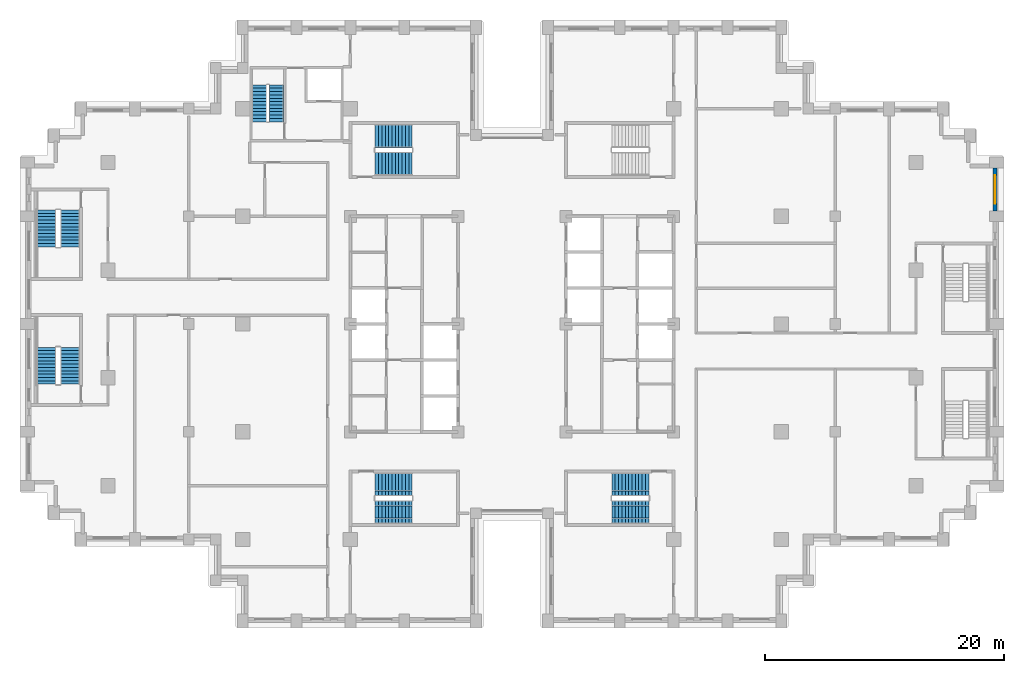
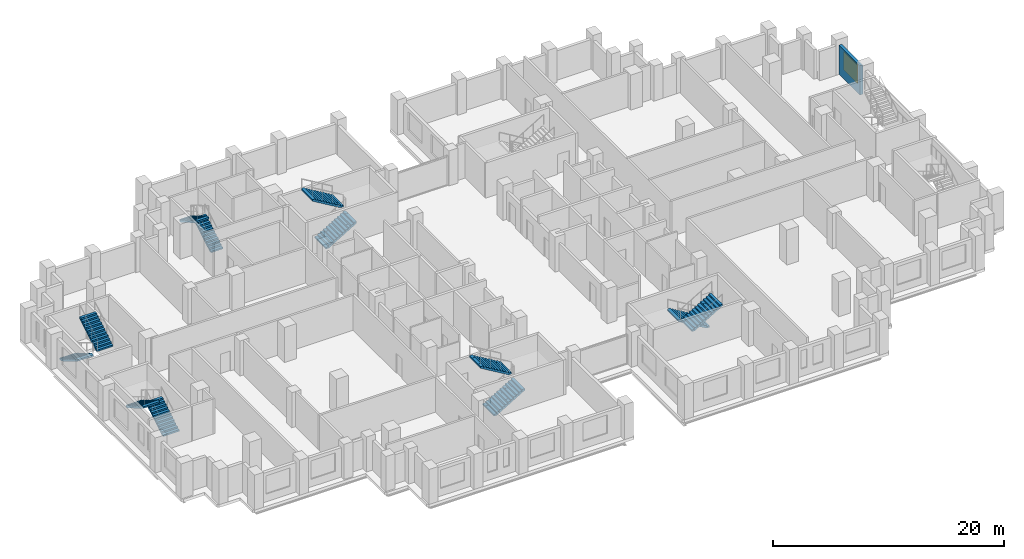
# One storey, part 12 of 15: 12 stair flights, 1 wall, 1 window, 1 opening, 6 elements without a shape of their own.
"""IFC4 building model written with IfcOpenShell, lengths in metres."""

from ifc_helpers import new_model, si_unit, direction, frame, frame_2d, origin, place, context, subcontext, project, spatial, polyline, rectangle, outline, extrude, material, layer, layer_set, type_object, element, fill, aggregate, save


model = new_model("IFC4")

# Units and contexts
model_context = context("Model", 3, precision=1e-05, world=origin(), true_north=direction((0.0, 1.0)))
body_context = subcontext(model_context, "Body", "Model", "MODEL_VIEW")
ifc_project = project(units=[si_unit("LENGTHUNIT", "METRE"), si_unit("AREAUNIT", "SQUARE_METRE"), si_unit("VOLUMEUNIT", "CUBIC_METRE"), si_unit("PLANEANGLEUNIT", "RADIAN"), si_unit("MASSUNIT", "GRAM", prefix="KILO")], contexts=[model_context])

# Site, building, storey
site_placement = place(None, origin())
site = spatial("IfcSite", under=ifc_project, at=site_placement, CompositionType="ELEMENT")
building_placement = place(site_placement, origin())
building = spatial("IfcBuilding", under=site, at=building_placement, Name="Corbelhall Arena Tower", CompositionType="ELEMENT")
storey_placement = place(building_placement, frame((0.0, 0.0, 88.0)))
storey = spatial("IfcBuildingStorey", under=building, at=storey_placement, Name="L14", CompositionType="ELEMENT", Elevation=88.0)

# Wall, opening, window
ifc_material_1 = material(Name="Precast concrete C40/50 with granite facing", Category="masonry")
ifc_layer = layer(ifc_material_1, 0.300048828125)
ifc_layer_set = layer_set([ifc_layer], Name="EV-IW1 Infill panel 300")
wall_type = type_object("IfcWallType", Name="EV-IW1 Infill panel 300", PredefinedType="SOLIDWALL", material=ifc_layer_set)
wall_placement = place(storey_placement, frame((40.35009765625, 9.449951171875, 0.0), z_axis=(0.0, 0.0, 1.0), x_axis=(0.0, 1.0, 0.0)))
wall = element("IfcWall", 1, at=wall_placement, inside=storey, type_object=wall_type, Name="Infill panel IW1", PredefinedType="SOLIDWALL", context=body_context, shape_type="SweptSolid", body=[
    extrude(rectangle(XDim=3.60009765625, YDim=0.300048828125, at=frame_2d((1.800048828125, 0.0))), origin(), (0.0, 0.0, 1.0), 3.10009765625),
])
opening_placement = place(wall_placement, frame((0.60009765625, 0.0, 0.800048828125)))
opening = element("IfcOpeningElement", 2, at=opening_placement, cuts=wall, Name="Opening WN1", PredefinedType="OPENING", context=body_context, shape_type="SweptSolid", body=[
    extrude(rectangle(XDim=2.39990234375, YDim=1.949951171875, at=frame_2d((1.199951171875, 0.97509765625))), frame((0.0, 0.14990234375, 0.0), z_axis=(0.0, -1.0, 0.0), x_axis=(1.0, 0.0, 0.0)), (0.0, 0.0, 1.0), 0.300048828125),
])
ifc_material_2 = material(Name="Aluminium black anodised", Category="aluminium")
window_type = type_object("IfcWindowType", Name="EV-WN1 Office window", PartitioningType="SINGLE_PANEL", PredefinedType="WINDOW", material=ifc_material_2)
window_placement = place(opening_placement, origin())
window = element("IfcWindow", 3, at=window_placement, inside=storey, type_object=window_type, Name="Window WN1", OverallHeight=1.949951171875, OverallWidth=2.39990234375, PartitioningType="SINGLE_PANEL", PredefinedType="WINDOW", context=body_context, shape_type="SweptSolid", body=[
    extrude(rectangle(XDim=2.39990234375, YDim=1.949951171875, at=frame_2d((1.199951171875, 0.97509765625))), frame((0.0, 0.030029296875, 0.0), z_axis=(0.0, -1.0, 0.0), x_axis=(1.0, 0.0, 0.0)), (0.0, 0.0, 1.0), 0.06005859375),
])
fill(opening, window)

# Stair, stair flights
ifc_material_3 = material(Name="Concrete C40/50", Category="concrete")
stair_type = type_object("IfcStairType", Name="IN-ST-TOWER", PredefinedType="HALF_TURN_STAIR", material=ifc_material_3)
stair_1_placement = place(storey_placement, origin())
stair_1 = element("IfcStair", 4, at=stair_1_placement, inside=storey, type_object=stair_type, Name="L14 Exit stair ST1", PredefinedType="HALF_TURN_STAIR")
stair_flight_type = type_object("IfcStairFlightType", Name="IN-SFL-RC", PredefinedType="STRAIGHT", material=ifc_material_3)
stair_flight_1_placement = place(storey_placement, frame((-11.425048828125, 13.39990234375, 0.0), z_axis=(0.0, 0.0, 1.0), x_axis=(1.0, 0.0, 0.0)))
stair_flight_1 = element("IfcStairFlight", 5, at=stair_flight_1_placement, type_object=stair_flight_type, Name="ST1 flight 1", NumberOfRisers=12, NumberOfTreads=11, PredefinedType="STRAIGHT", RiserHeight=0.166666667, TreadLength=0.28, context=body_context, shape_type="SweptSolid", body=[
    extrude(outline(polyline([(0.0, 0.0), (0.0, 0.166748046875), (0.280029296875, 0.166748046875), (0.280029296875, 0.333251953125), (0.56005859375, 0.333251953125), (0.56005859375, 0.5), (0.840087890625, 0.5), (0.840087890625, 0.666748046875), (1.1201171875, 0.666748046875), (1.1201171875, 0.833251953125), (1.39990234375, 0.833251953125), (1.39990234375, 1.0), (1.679931640625, 1.0), (1.679931640625, 1.166748046875), (1.9599609375, 1.166748046875), (1.9599609375, 1.333251953125), (2.239990234375, 1.333251953125), (2.239990234375, 1.5), (2.52001953125, 1.5), (2.52001953125, 1.666748046875), (2.800048828125, 1.666748046875), (2.800048828125, 1.833251953125), (3.080078125, 1.833251953125), (3.080078125, 2.0), (3.080078125, 1.658935546875), (0.29296875, 0.0), (0.0, 0.0)])), frame((0.0, 0.97509765625, 0.0), z_axis=(0.0, -1.0, 0.0), x_axis=(1.0, 0.0, 0.0)), (0.0, 0.0, 1.0), 0.449951171875),
    extrude(outline(polyline([(0.0, 0.0), (0.0, 0.166748046875), (0.280029296875, 0.166748046875), (0.280029296875, 0.333251953125), (0.56005859375, 0.333251953125), (0.56005859375, 0.5), (0.840087890625, 0.5), (0.840087890625, 0.666748046875), (1.1201171875, 0.666748046875), (1.1201171875, 0.833251953125), (1.39990234375, 0.833251953125), (1.39990234375, 1.0), (1.679931640625, 1.0), (1.679931640625, 1.166748046875), (1.9599609375, 1.166748046875), (1.9599609375, 1.333251953125), (2.239990234375, 1.333251953125), (2.239990234375, 1.5), (2.52001953125, 1.5), (2.52001953125, 1.666748046875), (2.800048828125, 1.666748046875), (2.800048828125, 1.833251953125), (3.080078125, 1.833251953125), (3.080078125, 2.0), (3.080078125, 1.658935546875), (0.29296875, 0.0), (0.0, 0.0)])), frame((0.0, 0.52099609375, 0.0), z_axis=(0.0, -1.0, 0.0), x_axis=(1.0, 0.0, 0.0)), (0.0, 0.0, 1.0), 1.0419921875),
    extrude(outline(polyline([(0.0, 0.0), (0.0, 0.166748046875), (0.280029296875, 0.166748046875), (0.280029296875, 0.333251953125), (0.56005859375, 0.333251953125), (0.56005859375, 0.5), (0.840087890625, 0.5), (0.840087890625, 0.666748046875), (1.1201171875, 0.666748046875), (1.1201171875, 0.833251953125), (1.39990234375, 0.833251953125), (1.39990234375, 1.0), (1.679931640625, 1.0), (1.679931640625, 1.166748046875), (1.9599609375, 1.166748046875), (1.9599609375, 1.333251953125), (2.239990234375, 1.333251953125), (2.239990234375, 1.5), (2.52001953125, 1.5), (2.52001953125, 1.666748046875), (2.800048828125, 1.666748046875), (2.800048828125, 1.833251953125), (3.080078125, 1.833251953125), (3.080078125, 2.0), (3.080078125, 1.658935546875), (0.29296875, 0.0), (0.0, 0.0)])), frame((0.0, -0.52490234375, 0.0), z_axis=(0.0, -1.0, 0.0), x_axis=(1.0, 0.0, 0.0)), (0.0, 0.0, 1.0), 0.449951171875),
])
stair_flight_2_placement = place(storey_placement, frame((-8.344970703125, 15.699951171875, 2.0), z_axis=(0.0, 0.0, 1.0), x_axis=(-1.0, 0.0, 0.0)))
stair_flight_2 = element("IfcStairFlight", 6, at=stair_flight_2_placement, type_object=stair_flight_type, Name="ST1 flight 2", NumberOfRisers=12, NumberOfTreads=11, PredefinedType="STRAIGHT", RiserHeight=0.166666667, TreadLength=0.28, context=body_context, shape_type="SweptSolid", body=[
    extrude(outline(polyline([(0.0, 0.0), (0.0, 0.166748046875), (0.280029296875, 0.166748046875), (0.280029296875, 0.333251953125), (0.56005859375, 0.333251953125), (0.56005859375, 0.5), (0.840087890625, 0.5), (0.840087890625, 0.666748046875), (1.1201171875, 0.666748046875), (1.1201171875, 0.833251953125), (1.39990234375, 0.833251953125), (1.39990234375, 1.0), (1.679931640625, 1.0), (1.679931640625, 1.166748046875), (1.9599609375, 1.166748046875), (1.9599609375, 1.333251953125), (2.239990234375, 1.333251953125), (2.239990234375, 1.5), (2.52001953125, 1.5), (2.52001953125, 1.666748046875), (2.800048828125, 1.666748046875), (2.800048828125, 1.833251953125), (3.080078125, 1.833251953125), (3.080078125, 2.0), (3.080078125, 1.658935546875), (0.29296875, 0.0), (0.0, 0.0)])), frame((0.0, 0.97509765625, 0.0), z_axis=(0.0, -1.0, 0.0), x_axis=(1.0, 0.0, 0.0)), (0.0, 0.0, 1.0), 0.449951171875),
    extrude(outline(polyline([(0.0, 0.0), (0.0, 0.166748046875), (0.280029296875, 0.166748046875), (0.280029296875, 0.333251953125), (0.56005859375, 0.333251953125), (0.56005859375, 0.5), (0.840087890625, 0.5), (0.840087890625, 0.666748046875), (1.1201171875, 0.666748046875), (1.1201171875, 0.833251953125), (1.39990234375, 0.833251953125), (1.39990234375, 1.0), (1.679931640625, 1.0), (1.679931640625, 1.166748046875), (1.9599609375, 1.166748046875), (1.9599609375, 1.333251953125), (2.239990234375, 1.333251953125), (2.239990234375, 1.5), (2.52001953125, 1.5), (2.52001953125, 1.666748046875), (2.800048828125, 1.666748046875), (2.800048828125, 1.833251953125), (3.080078125, 1.833251953125), (3.080078125, 2.0), (3.080078125, 1.658935546875), (0.29296875, 0.0), (0.0, 0.0)])), frame((0.0, 0.52099609375, 0.0), z_axis=(0.0, -1.0, 0.0), x_axis=(1.0, 0.0, 0.0)), (0.0, 0.0, 1.0), 1.0419921875),
    extrude(outline(polyline([(0.0, 0.0), (0.0, 0.166748046875), (0.280029296875, 0.166748046875), (0.280029296875, 0.333251953125), (0.56005859375, 0.333251953125), (0.56005859375, 0.5), (0.840087890625, 0.5), (0.840087890625, 0.666748046875), (1.1201171875, 0.666748046875), (1.1201171875, 0.833251953125), (1.39990234375, 0.833251953125), (1.39990234375, 1.0), (1.679931640625, 1.0), (1.679931640625, 1.166748046875), (1.9599609375, 1.166748046875), (1.9599609375, 1.333251953125), (2.239990234375, 1.333251953125), (2.239990234375, 1.5), (2.52001953125, 1.5), (2.52001953125, 1.666748046875), (2.800048828125, 1.666748046875), (2.800048828125, 1.833251953125), (3.080078125, 1.833251953125), (3.080078125, 2.0), (3.080078125, 1.658935546875), (0.29296875, 0.0), (0.0, 0.0)])), frame((0.0, -0.52490234375, 0.0), z_axis=(0.0, -1.0, 0.0), x_axis=(1.0, 0.0, 0.0)), (0.0, 0.0, 1.0), 0.449951171875),
])
aggregate(stair_1, [stair_flight_1, stair_flight_2])

stair_2_placement = place(storey_placement, origin())
stair_2 = element("IfcStair", 7, at=stair_2_placement, inside=storey, type_object=stair_type, Name="L14 Exit stair ST2", PredefinedType="HALF_TURN_STAIR")
stair_flight_3_placement = place(storey_placement, frame((-11.425048828125, -15.699951171875, 0.0), z_axis=(0.0, 0.0, 1.0), x_axis=(1.0, 0.0, 0.0)))
stair_flight_3 = element("IfcStairFlight", 8, at=stair_flight_3_placement, type_object=stair_flight_type, Name="ST2 flight 1", NumberOfRisers=12, NumberOfTreads=11, PredefinedType="STRAIGHT", RiserHeight=0.166666667, TreadLength=0.28, context=body_context, shape_type="SweptSolid", body=[
    extrude(outline(polyline([(0.0, 0.0), (0.0, 0.166748046875), (0.280029296875, 0.166748046875), (0.280029296875, 0.333251953125), (0.56005859375, 0.333251953125), (0.56005859375, 0.5), (0.840087890625, 0.5), (0.840087890625, 0.666748046875), (1.1201171875, 0.666748046875), (1.1201171875, 0.833251953125), (1.39990234375, 0.833251953125), (1.39990234375, 1.0), (1.679931640625, 1.0), (1.679931640625, 1.166748046875), (1.9599609375, 1.166748046875), (1.9599609375, 1.333251953125), (2.239990234375, 1.333251953125), (2.239990234375, 1.5), (2.52001953125, 1.5), (2.52001953125, 1.666748046875), (2.800048828125, 1.666748046875), (2.800048828125, 1.833251953125), (3.080078125, 1.833251953125), (3.080078125, 2.0), (3.080078125, 1.658935546875), (0.29296875, 0.0), (0.0, 0.0)])), frame((0.0, 0.97509765625, 0.0), z_axis=(0.0, -1.0, 0.0), x_axis=(1.0, 0.0, 0.0)), (0.0, 0.0, 1.0), 0.449951171875),
    extrude(outline(polyline([(0.0, 0.0), (0.0, 0.166748046875), (0.280029296875, 0.166748046875), (0.280029296875, 0.333251953125), (0.56005859375, 0.333251953125), (0.56005859375, 0.5), (0.840087890625, 0.5), (0.840087890625, 0.666748046875), (1.1201171875, 0.666748046875), (1.1201171875, 0.833251953125), (1.39990234375, 0.833251953125), (1.39990234375, 1.0), (1.679931640625, 1.0), (1.679931640625, 1.166748046875), (1.9599609375, 1.166748046875), (1.9599609375, 1.333251953125), (2.239990234375, 1.333251953125), (2.239990234375, 1.5), (2.52001953125, 1.5), (2.52001953125, 1.666748046875), (2.800048828125, 1.666748046875), (2.800048828125, 1.833251953125), (3.080078125, 1.833251953125), (3.080078125, 2.0), (3.080078125, 1.658935546875), (0.29296875, 0.0), (0.0, 0.0)])), frame((0.0, 0.52099609375, 0.0), z_axis=(0.0, -1.0, 0.0), x_axis=(1.0, 0.0, 0.0)), (0.0, 0.0, 1.0), 1.0419921875),
    extrude(outline(polyline([(0.0, 0.0), (0.0, 0.166748046875), (0.280029296875, 0.166748046875), (0.280029296875, 0.333251953125), (0.56005859375, 0.333251953125), (0.56005859375, 0.5), (0.840087890625, 0.5), (0.840087890625, 0.666748046875), (1.1201171875, 0.666748046875), (1.1201171875, 0.833251953125), (1.39990234375, 0.833251953125), (1.39990234375, 1.0), (1.679931640625, 1.0), (1.679931640625, 1.166748046875), (1.9599609375, 1.166748046875), (1.9599609375, 1.333251953125), (2.239990234375, 1.333251953125), (2.239990234375, 1.5), (2.52001953125, 1.5), (2.52001953125, 1.666748046875), (2.800048828125, 1.666748046875), (2.800048828125, 1.833251953125), (3.080078125, 1.833251953125), (3.080078125, 2.0), (3.080078125, 1.658935546875), (0.29296875, 0.0), (0.0, 0.0)])), frame((0.0, -0.52490234375, 0.0), z_axis=(0.0, -1.0, 0.0), x_axis=(1.0, 0.0, 0.0)), (0.0, 0.0, 1.0), 0.449951171875),
])
stair_flight_4_placement = place(storey_placement, frame((-8.344970703125, -13.39990234375, 2.0), z_axis=(0.0, 0.0, 1.0), x_axis=(-1.0, 0.0, 0.0)))
stair_flight_4 = element("IfcStairFlight", 9, at=stair_flight_4_placement, type_object=stair_flight_type, Name="ST2 flight 2", NumberOfRisers=12, NumberOfTreads=11, PredefinedType="STRAIGHT", RiserHeight=0.166666667, TreadLength=0.28, context=body_context, shape_type="SweptSolid", body=[
    extrude(outline(polyline([(0.0, 0.0), (0.0, 0.166748046875), (0.280029296875, 0.166748046875), (0.280029296875, 0.333251953125), (0.56005859375, 0.333251953125), (0.56005859375, 0.5), (0.840087890625, 0.5), (0.840087890625, 0.666748046875), (1.1201171875, 0.666748046875), (1.1201171875, 0.833251953125), (1.39990234375, 0.833251953125), (1.39990234375, 1.0), (1.679931640625, 1.0), (1.679931640625, 1.166748046875), (1.9599609375, 1.166748046875), (1.9599609375, 1.333251953125), (2.239990234375, 1.333251953125), (2.239990234375, 1.5), (2.52001953125, 1.5), (2.52001953125, 1.666748046875), (2.800048828125, 1.666748046875), (2.800048828125, 1.833251953125), (3.080078125, 1.833251953125), (3.080078125, 2.0), (3.080078125, 1.658935546875), (0.29296875, 0.0), (0.0, 0.0)])), frame((0.0, 0.97509765625, 0.0), z_axis=(0.0, -1.0, 0.0), x_axis=(1.0, 0.0, 0.0)), (0.0, 0.0, 1.0), 0.449951171875),
    extrude(outline(polyline([(0.0, 0.0), (0.0, 0.166748046875), (0.280029296875, 0.166748046875), (0.280029296875, 0.333251953125), (0.56005859375, 0.333251953125), (0.56005859375, 0.5), (0.840087890625, 0.5), (0.840087890625, 0.666748046875), (1.1201171875, 0.666748046875), (1.1201171875, 0.833251953125), (1.39990234375, 0.833251953125), (1.39990234375, 1.0), (1.679931640625, 1.0), (1.679931640625, 1.166748046875), (1.9599609375, 1.166748046875), (1.9599609375, 1.333251953125), (2.239990234375, 1.333251953125), (2.239990234375, 1.5), (2.52001953125, 1.5), (2.52001953125, 1.666748046875), (2.800048828125, 1.666748046875), (2.800048828125, 1.833251953125), (3.080078125, 1.833251953125), (3.080078125, 2.0), (3.080078125, 1.658935546875), (0.29296875, 0.0), (0.0, 0.0)])), frame((0.0, 0.52099609375, 0.0), z_axis=(0.0, -1.0, 0.0), x_axis=(1.0, 0.0, 0.0)), (0.0, 0.0, 1.0), 1.0419921875),
    extrude(outline(polyline([(0.0, 0.0), (0.0, 0.166748046875), (0.280029296875, 0.166748046875), (0.280029296875, 0.333251953125), (0.56005859375, 0.333251953125), (0.56005859375, 0.5), (0.840087890625, 0.5), (0.840087890625, 0.666748046875), (1.1201171875, 0.666748046875), (1.1201171875, 0.833251953125), (1.39990234375, 0.833251953125), (1.39990234375, 1.0), (1.679931640625, 1.0), (1.679931640625, 1.166748046875), (1.9599609375, 1.166748046875), (1.9599609375, 1.333251953125), (2.239990234375, 1.333251953125), (2.239990234375, 1.5), (2.52001953125, 1.5), (2.52001953125, 1.666748046875), (2.800048828125, 1.666748046875), (2.800048828125, 1.833251953125), (3.080078125, 1.833251953125), (3.080078125, 2.0), (3.080078125, 1.658935546875), (0.29296875, 0.0), (0.0, 0.0)])), frame((0.0, -0.52490234375, 0.0), z_axis=(0.0, -1.0, 0.0), x_axis=(1.0, 0.0, 0.0)), (0.0, 0.0, 1.0), 0.449951171875),
])
aggregate(stair_2, [stair_flight_3, stair_flight_4])

stair_3_placement = place(storey_placement, origin())
stair_3 = element("IfcStair", 10, at=stair_3_placement, inside=storey, type_object=stair_type, Name="L14 Exit stair ST4", PredefinedType="HALF_TURN_STAIR")
stair_flight_5_placement = place(storey_placement, frame((11.425048828125, -13.39990234375, 0.0), z_axis=(0.0, 0.0, 1.0), x_axis=(-1.0, 0.0, 0.0)))
stair_flight_5 = element("IfcStairFlight", 11, at=stair_flight_5_placement, type_object=stair_flight_type, Name="ST4 flight 1", NumberOfRisers=12, NumberOfTreads=11, PredefinedType="STRAIGHT", RiserHeight=0.166666667, TreadLength=0.28, context=body_context, shape_type="SweptSolid", body=[
    extrude(outline(polyline([(0.0, 0.0), (0.0, 0.166748046875), (0.280029296875, 0.166748046875), (0.280029296875, 0.333251953125), (0.56005859375, 0.333251953125), (0.56005859375, 0.5), (0.840087890625, 0.5), (0.840087890625, 0.666748046875), (1.1201171875, 0.666748046875), (1.1201171875, 0.833251953125), (1.39990234375, 0.833251953125), (1.39990234375, 1.0), (1.679931640625, 1.0), (1.679931640625, 1.166748046875), (1.9599609375, 1.166748046875), (1.9599609375, 1.333251953125), (2.239990234375, 1.333251953125), (2.239990234375, 1.5), (2.52001953125, 1.5), (2.52001953125, 1.666748046875), (2.800048828125, 1.666748046875), (2.800048828125, 1.833251953125), (3.080078125, 1.833251953125), (3.080078125, 2.0), (3.080078125, 1.658935546875), (0.29296875, 0.0), (0.0, 0.0)])), frame((0.0, 0.97509765625, 0.0), z_axis=(0.0, -1.0, 0.0), x_axis=(1.0, 0.0, 0.0)), (0.0, 0.0, 1.0), 0.449951171875),
    extrude(outline(polyline([(0.0, 0.0), (0.0, 0.166748046875), (0.280029296875, 0.166748046875), (0.280029296875, 0.333251953125), (0.56005859375, 0.333251953125), (0.56005859375, 0.5), (0.840087890625, 0.5), (0.840087890625, 0.666748046875), (1.1201171875, 0.666748046875), (1.1201171875, 0.833251953125), (1.39990234375, 0.833251953125), (1.39990234375, 1.0), (1.679931640625, 1.0), (1.679931640625, 1.166748046875), (1.9599609375, 1.166748046875), (1.9599609375, 1.333251953125), (2.239990234375, 1.333251953125), (2.239990234375, 1.5), (2.52001953125, 1.5), (2.52001953125, 1.666748046875), (2.800048828125, 1.666748046875), (2.800048828125, 1.833251953125), (3.080078125, 1.833251953125), (3.080078125, 2.0), (3.080078125, 1.658935546875), (0.29296875, 0.0), (0.0, 0.0)])), frame((0.0, 0.52099609375, 0.0), z_axis=(0.0, -1.0, 0.0), x_axis=(1.0, 0.0, 0.0)), (0.0, 0.0, 1.0), 1.0419921875),
    extrude(outline(polyline([(0.0, 0.0), (0.0, 0.166748046875), (0.280029296875, 0.166748046875), (0.280029296875, 0.333251953125), (0.56005859375, 0.333251953125), (0.56005859375, 0.5), (0.840087890625, 0.5), (0.840087890625, 0.666748046875), (1.1201171875, 0.666748046875), (1.1201171875, 0.833251953125), (1.39990234375, 0.833251953125), (1.39990234375, 1.0), (1.679931640625, 1.0), (1.679931640625, 1.166748046875), (1.9599609375, 1.166748046875), (1.9599609375, 1.333251953125), (2.239990234375, 1.333251953125), (2.239990234375, 1.5), (2.52001953125, 1.5), (2.52001953125, 1.666748046875), (2.800048828125, 1.666748046875), (2.800048828125, 1.833251953125), (3.080078125, 1.833251953125), (3.080078125, 2.0), (3.080078125, 1.658935546875), (0.29296875, 0.0), (0.0, 0.0)])), frame((0.0, -0.52490234375, 0.0), z_axis=(0.0, -1.0, 0.0), x_axis=(1.0, 0.0, 0.0)), (0.0, 0.0, 1.0), 0.449951171875),
])
stair_flight_6_placement = place(storey_placement, frame((8.344970703125, -15.699951171875, 2.0), z_axis=(0.0, 0.0, 1.0), x_axis=(1.0, 0.0, 0.0)))
stair_flight_6 = element("IfcStairFlight", 12, at=stair_flight_6_placement, type_object=stair_flight_type, Name="ST4 flight 2", NumberOfRisers=12, NumberOfTreads=11, PredefinedType="STRAIGHT", RiserHeight=0.166666667, TreadLength=0.28, context=body_context, shape_type="SweptSolid", body=[
    extrude(outline(polyline([(0.0, 0.0), (0.0, 0.166748046875), (0.280029296875, 0.166748046875), (0.280029296875, 0.333251953125), (0.56005859375, 0.333251953125), (0.56005859375, 0.5), (0.840087890625, 0.5), (0.840087890625, 0.666748046875), (1.1201171875, 0.666748046875), (1.1201171875, 0.833251953125), (1.39990234375, 0.833251953125), (1.39990234375, 1.0), (1.679931640625, 1.0), (1.679931640625, 1.166748046875), (1.9599609375, 1.166748046875), (1.9599609375, 1.333251953125), (2.239990234375, 1.333251953125), (2.239990234375, 1.5), (2.52001953125, 1.5), (2.52001953125, 1.666748046875), (2.800048828125, 1.666748046875), (2.800048828125, 1.833251953125), (3.080078125, 1.833251953125), (3.080078125, 2.0), (3.080078125, 1.658935546875), (0.29296875, 0.0), (0.0, 0.0)])), frame((0.0, 0.97509765625, 0.0), z_axis=(0.0, -1.0, 0.0), x_axis=(1.0, 0.0, 0.0)), (0.0, 0.0, 1.0), 0.449951171875),
    extrude(outline(polyline([(0.0, 0.0), (0.0, 0.166748046875), (0.280029296875, 0.166748046875), (0.280029296875, 0.333251953125), (0.56005859375, 0.333251953125), (0.56005859375, 0.5), (0.840087890625, 0.5), (0.840087890625, 0.666748046875), (1.1201171875, 0.666748046875), (1.1201171875, 0.833251953125), (1.39990234375, 0.833251953125), (1.39990234375, 1.0), (1.679931640625, 1.0), (1.679931640625, 1.166748046875), (1.9599609375, 1.166748046875), (1.9599609375, 1.333251953125), (2.239990234375, 1.333251953125), (2.239990234375, 1.5), (2.52001953125, 1.5), (2.52001953125, 1.666748046875), (2.800048828125, 1.666748046875), (2.800048828125, 1.833251953125), (3.080078125, 1.833251953125), (3.080078125, 2.0), (3.080078125, 1.658935546875), (0.29296875, 0.0), (0.0, 0.0)])), frame((0.0, 0.52099609375, 0.0), z_axis=(0.0, -1.0, 0.0), x_axis=(1.0, 0.0, 0.0)), (0.0, 0.0, 1.0), 1.0419921875),
    extrude(outline(polyline([(0.0, 0.0), (0.0, 0.166748046875), (0.280029296875, 0.166748046875), (0.280029296875, 0.333251953125), (0.56005859375, 0.333251953125), (0.56005859375, 0.5), (0.840087890625, 0.5), (0.840087890625, 0.666748046875), (1.1201171875, 0.666748046875), (1.1201171875, 0.833251953125), (1.39990234375, 0.833251953125), (1.39990234375, 1.0), (1.679931640625, 1.0), (1.679931640625, 1.166748046875), (1.9599609375, 1.166748046875), (1.9599609375, 1.333251953125), (2.239990234375, 1.333251953125), (2.239990234375, 1.5), (2.52001953125, 1.5), (2.52001953125, 1.666748046875), (2.800048828125, 1.666748046875), (2.800048828125, 1.833251953125), (3.080078125, 1.833251953125), (3.080078125, 2.0), (3.080078125, 1.658935546875), (0.29296875, 0.0), (0.0, 0.0)])), frame((0.0, -0.52490234375, 0.0), z_axis=(0.0, -1.0, 0.0), x_axis=(1.0, 0.0, 0.0)), (0.0, 0.0, 1.0), 0.449951171875),
])
aggregate(stair_3, [stair_flight_5, stair_flight_6])

stair_4_placement = place(storey_placement, origin())
stair_4 = element("IfcStair", 13, at=stair_4_placement, inside=storey, type_object=stair_type, Name="L14 Exit stair SC1", PredefinedType="HALF_TURN_STAIR")
stair_flight_7_placement = place(storey_placement, frame((-38.89990234375, 9.52490234375, 0.0), z_axis=(0.0, 0.0, 1.0), x_axis=(0.0, -1.0, 0.0)))
stair_flight_7 = element("IfcStairFlight", 14, at=stair_flight_7_placement, type_object=stair_flight_type, Name="SC1 flight 1", NumberOfRisers=12, NumberOfTreads=11, PredefinedType="STRAIGHT", RiserHeight=0.166666667, TreadLength=0.28, context=body_context, shape_type="SweptSolid", body=[
    extrude(outline(polyline([(0.0, 0.0), (0.0, 0.166748046875), (0.280029296875, 0.166748046875), (0.280029296875, 0.333251953125), (0.56005859375, 0.333251953125), (0.56005859375, 0.5), (0.840087890625, 0.5), (0.840087890625, 0.666748046875), (1.1201171875, 0.666748046875), (1.1201171875, 0.833251953125), (1.39990234375, 0.833251953125), (1.39990234375, 1.0), (1.679931640625, 1.0), (1.679931640625, 1.166748046875), (1.9599609375, 1.166748046875), (1.9599609375, 1.333251953125), (2.239990234375, 1.333251953125), (2.239990234375, 1.5), (2.52001953125, 1.5), (2.52001953125, 1.666748046875), (2.800048828125, 1.666748046875), (2.800048828125, 1.833251953125), (3.080078125, 1.833251953125), (3.080078125, 2.0), (3.080078125, 1.658935546875), (0.29296875, 0.0), (0.0, 0.0)])), frame((0.0, 0.800048828125, 0.0), z_axis=(0.0, -1.0, 0.0), x_axis=(1.0, 0.0, 0.0)), (0.0, 0.0, 1.0), 1.60009765625),
])
stair_flight_8_placement = place(storey_placement, frame((-36.925048828125, 6.445068359375, 2.0), z_axis=(0.0, 0.0, 1.0), x_axis=(0.0, 1.0, 0.0)))
stair_flight_8 = element("IfcStairFlight", 15, at=stair_flight_8_placement, type_object=stair_flight_type, Name="SC1 flight 2", NumberOfRisers=12, NumberOfTreads=11, PredefinedType="STRAIGHT", RiserHeight=0.166666667, TreadLength=0.28, context=body_context, shape_type="SweptSolid", body=[
    extrude(outline(polyline([(0.0, 0.0), (0.0, 0.166748046875), (0.280029296875, 0.166748046875), (0.280029296875, 0.333251953125), (0.56005859375, 0.333251953125), (0.56005859375, 0.5), (0.840087890625, 0.5), (0.840087890625, 0.666748046875), (1.1201171875, 0.666748046875), (1.1201171875, 0.833251953125), (1.39990234375, 0.833251953125), (1.39990234375, 1.0), (1.679931640625, 1.0), (1.679931640625, 1.166748046875), (1.9599609375, 1.166748046875), (1.9599609375, 1.333251953125), (2.239990234375, 1.333251953125), (2.239990234375, 1.5), (2.52001953125, 1.5), (2.52001953125, 1.666748046875), (2.800048828125, 1.666748046875), (2.800048828125, 1.833251953125), (3.080078125, 1.833251953125), (3.080078125, 2.0), (3.080078125, 1.658935546875), (0.29296875, 0.0), (0.0, 0.0)])), frame((0.0, 0.800048828125, 0.0), z_axis=(0.0, -1.0, 0.0), x_axis=(1.0, 0.0, 0.0)), (0.0, 0.0, 1.0), 1.60009765625),
])
aggregate(stair_4, [stair_flight_7, stair_flight_8])

stair_5_placement = place(storey_placement, origin())
stair_5 = element("IfcStair", 16, at=stair_5_placement, inside=storey, type_object=stair_type, Name="L14 Exit stair SC2", PredefinedType="HALF_TURN_STAIR")
stair_flight_9_placement = place(storey_placement, frame((-36.925048828125, -5.02490234375, 0.0), z_axis=(0.0, 0.0, 1.0), x_axis=(0.0, 1.0, 0.0)))
stair_flight_9 = element("IfcStairFlight", 17, at=stair_flight_9_placement, type_object=stair_flight_type, Name="SC2 flight 1", NumberOfRisers=12, NumberOfTreads=11, PredefinedType="STRAIGHT", RiserHeight=0.166666667, TreadLength=0.28, context=body_context, shape_type="SweptSolid", body=[
    extrude(outline(polyline([(0.0, 0.0), (0.0, 0.166748046875), (0.280029296875, 0.166748046875), (0.280029296875, 0.333251953125), (0.56005859375, 0.333251953125), (0.56005859375, 0.5), (0.840087890625, 0.5), (0.840087890625, 0.666748046875), (1.1201171875, 0.666748046875), (1.1201171875, 0.833251953125), (1.39990234375, 0.833251953125), (1.39990234375, 1.0), (1.679931640625, 1.0), (1.679931640625, 1.166748046875), (1.9599609375, 1.166748046875), (1.9599609375, 1.333251953125), (2.239990234375, 1.333251953125), (2.239990234375, 1.5), (2.52001953125, 1.5), (2.52001953125, 1.666748046875), (2.800048828125, 1.666748046875), (2.800048828125, 1.833251953125), (3.080078125, 1.833251953125), (3.080078125, 2.0), (3.080078125, 1.658935546875), (0.29296875, 0.0), (0.0, 0.0)])), frame((0.0, 0.800048828125, 0.0), z_axis=(0.0, -1.0, 0.0), x_axis=(1.0, 0.0, 0.0)), (0.0, 0.0, 1.0), 1.60009765625),
])
stair_flight_10_placement = place(storey_placement, frame((-38.89990234375, -1.945068359375, 2.0), z_axis=(0.0, 0.0, 1.0), x_axis=(0.0, -1.0, 0.0)))
stair_flight_10 = element("IfcStairFlight", 18, at=stair_flight_10_placement, type_object=stair_flight_type, Name="SC2 flight 2", NumberOfRisers=12, NumberOfTreads=11, PredefinedType="STRAIGHT", RiserHeight=0.166666667, TreadLength=0.28, context=body_context, shape_type="SweptSolid", body=[
    extrude(outline(polyline([(0.0, 0.0), (0.0, 0.166748046875), (0.280029296875, 0.166748046875), (0.280029296875, 0.333251953125), (0.56005859375, 0.333251953125), (0.56005859375, 0.5), (0.840087890625, 0.5), (0.840087890625, 0.666748046875), (1.1201171875, 0.666748046875), (1.1201171875, 0.833251953125), (1.39990234375, 0.833251953125), (1.39990234375, 1.0), (1.679931640625, 1.0), (1.679931640625, 1.166748046875), (1.9599609375, 1.166748046875), (1.9599609375, 1.333251953125), (2.239990234375, 1.333251953125), (2.239990234375, 1.5), (2.52001953125, 1.5), (2.52001953125, 1.666748046875), (2.800048828125, 1.666748046875), (2.800048828125, 1.833251953125), (3.080078125, 1.833251953125), (3.080078125, 2.0), (3.080078125, 1.658935546875), (0.29296875, 0.0), (0.0, 0.0)])), frame((0.0, 0.800048828125, 0.0), z_axis=(0.0, -1.0, 0.0), x_axis=(1.0, 0.0, 0.0)), (0.0, 0.0, 1.0), 1.60009765625),
])
aggregate(stair_5, [stair_flight_9, stair_flight_10])

stair_6_placement = place(storey_placement, origin())
stair_6 = element("IfcStair", 19, at=stair_6_placement, inside=storey, type_object=stair_type, Name="L14 Exit stair ST5", PredefinedType="HALF_TURN_STAIR")
stair_flight_11_placement = place(storey_placement, frame((-19.695068359375, 16.89990234375, 0.0), z_axis=(0.0, 0.0, 1.0), x_axis=(0.0, 1.0, 0.0)))
stair_flight_11 = element("IfcStairFlight", 20, at=stair_flight_11_placement, type_object=stair_flight_type, Name="ST5 flight 1", NumberOfRisers=12, NumberOfTreads=11, PredefinedType="STRAIGHT", RiserHeight=0.166666667, TreadLength=0.28, context=body_context, shape_type="SweptSolid", body=[
    extrude(outline(polyline([(0.0, 0.0), (0.0, 0.166748046875), (0.280029296875, 0.166748046875), (0.280029296875, 0.333251953125), (0.56005859375, 0.333251953125), (0.56005859375, 0.5), (0.840087890625, 0.5), (0.840087890625, 0.666748046875), (1.1201171875, 0.666748046875), (1.1201171875, 0.833251953125), (1.39990234375, 0.833251953125), (1.39990234375, 1.0), (1.679931640625, 1.0), (1.679931640625, 1.166748046875), (1.9599609375, 1.166748046875), (1.9599609375, 1.333251953125), (2.239990234375, 1.333251953125), (2.239990234375, 1.5), (2.52001953125, 1.5), (2.52001953125, 1.666748046875), (2.800048828125, 1.666748046875), (2.800048828125, 1.833251953125), (3.080078125, 1.833251953125), (3.080078125, 2.0), (3.080078125, 1.658935546875), (0.29296875, 0.0), (0.0, 0.0)])), frame((0.0, 0.60009765625, 0.0), z_axis=(0.0, -1.0, 0.0), x_axis=(1.0, 0.0, 0.0)), (0.0, 0.0, 1.0), 1.199951171875),
])
stair_flight_12_placement = place(storey_placement, frame((-21.094970703125, 19.97998046875, 2.0), z_axis=(0.0, 0.0, 1.0), x_axis=(0.0, -1.0, 0.0)))
stair_flight_12 = element("IfcStairFlight", 21, at=stair_flight_12_placement, type_object=stair_flight_type, Name="ST5 flight 2", NumberOfRisers=12, NumberOfTreads=11, PredefinedType="STRAIGHT", RiserHeight=0.166666667, TreadLength=0.28, context=body_context, shape_type="SweptSolid", body=[
    extrude(outline(polyline([(0.0, 0.0), (0.0, 0.166748046875), (0.280029296875, 0.166748046875), (0.280029296875, 0.333251953125), (0.56005859375, 0.333251953125), (0.56005859375, 0.5), (0.840087890625, 0.5), (0.840087890625, 0.666748046875), (1.1201171875, 0.666748046875), (1.1201171875, 0.833251953125), (1.39990234375, 0.833251953125), (1.39990234375, 1.0), (1.679931640625, 1.0), (1.679931640625, 1.166748046875), (1.9599609375, 1.166748046875), (1.9599609375, 1.333251953125), (2.239990234375, 1.333251953125), (2.239990234375, 1.5), (2.52001953125, 1.5), (2.52001953125, 1.666748046875), (2.800048828125, 1.666748046875), (2.800048828125, 1.833251953125), (3.080078125, 1.833251953125), (3.080078125, 2.0), (3.080078125, 1.658935546875), (0.29296875, 0.0), (0.0, 0.0)])), frame((0.0, 0.60009765625, 0.0), z_axis=(0.0, -1.0, 0.0), x_axis=(1.0, 0.0, 0.0)), (0.0, 0.0, 1.0), 1.199951171875),
])
aggregate(stair_6, [stair_flight_11, stair_flight_12])

save(model, "model.ifc")
